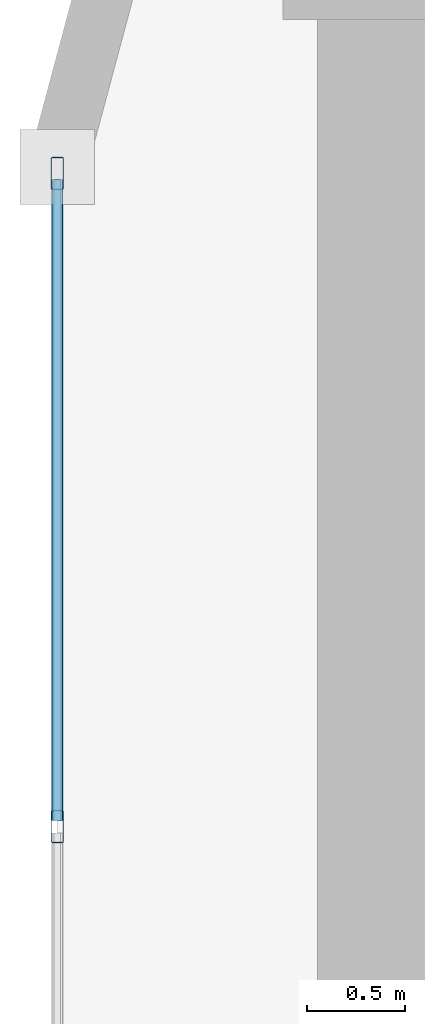
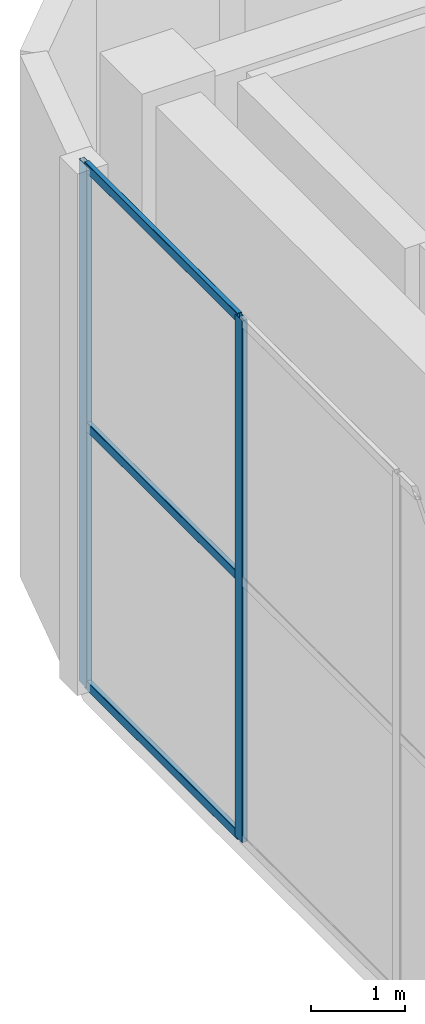
# One storey, part 11 of 24: 5 members, 1 element without a shape of its own.
"""IFC4 building model written with IfcOpenShell, lengths in metres."""

import ifcopenshell
import ifcopenshell.guid

model = None  # the IFC model being written
_history = None  # IfcOwnerHistory: only IFC2X3 demands one
_inside = {}  # id of a spatial element -> (the spatial element, [elements in it])
_under = {}  # id of a project, library or spatial element -> (it, [spatial elements below it])
_declared = {}  # id of a project -> (the project, [libraries it declares])
_typed = {}  # id of a type object -> (the type object, [elements of that type])
_made_of = {}  # id of a material, layer set ... -> (it, [elements and type objects made of it])


def new_model(schema):
    """Start an empty IFC model of exactly this schema.

    Asked for "IFC4X3", IfcOpenShell would pick the latest addendum, in which some entities
    have other attributes; the version numbers below select the first issue.
    IFC2X3 requires an IfcOwnerHistory on every rooted entity: one is made here for all.
    """
    global model, _history
    if schema == "IFC4X3":
        model = ifcopenshell.file(schema_version=(4, 3, 0, 0))
    else:
        model = ifcopenshell.file(schema=schema)
    _inside.clear()
    _under.clear()
    _declared.clear()
    _typed.clear()
    _made_of.clear()
    _history = None
    if model.schema == "IFC2X3":
        org = make("IfcOrganization", Name="unknown")
        user = make(
            "IfcPersonAndOrganization",
            ThePerson=make("IfcPerson", FamilyName="unknown"),
            TheOrganization=org,
        )
        app = make(
            "IfcApplication",
            ApplicationDeveloper=org,
            Version="unknown",
            ApplicationFullName="unknown",
            ApplicationIdentifier="unknown",
        )
        _history = make(
            "IfcOwnerHistory",
            OwningUser=user,
            OwningApplication=app,
            ChangeAction="ADDED",
            CreationDate=0,
        )
    return model


def make(cls, **values):
    """One entity of the class cls with the attributes given. An attribute that is None is left unset."""
    return model.create_entity(
        cls, **{name: value for name, value in values.items() if value is not None}
    )


def rooted(cls, **values):
    """An entity with a GlobalId (a new one), such as an element, a storey or a relation."""
    return make(cls, GlobalId=ifcopenshell.guid.new(), OwnerHistory=_history, **values)


def si_unit(unit_type, name, prefix=None):
    """IfcSIUnit, for example si_unit("LENGTHUNIT", "METRE", prefix="MILLI")."""
    return make("IfcSIUnit", UnitType=unit_type, Prefix=prefix, Name=name)


def assignment(units):
    """IfcUnitAssignment: the units of a project."""
    return None if units is None else make("IfcUnitAssignment", Units=units)


def point(xyz):
    """IfcCartesianPoint."""
    return None if xyz is None else make("IfcCartesianPoint", Coordinates=xyz)


def direction(xyz):
    """IfcDirection."""
    return None if xyz is None else make("IfcDirection", DirectionRatios=xyz)


def frame(location, z_axis=None, x_axis=None):
    """IfcAxis2Placement3D, a coordinate frame: its origin and axes. An axis left out is left unset."""
    return make(
        "IfcAxis2Placement3D",
        Location=point(location),
        Axis=direction(z_axis),
        RefDirection=direction(x_axis),
    )


def frame_2d(location, x_axis=None):
    """IfcAxis2Placement2D, a coordinate frame in the plane: its origin and x axis."""
    return make(
        "IfcAxis2Placement2D", Location=point(location), RefDirection=direction(x_axis)
    )


def origin():
    """The frame at (0, 0, 0) with its axes left unset."""
    return frame((0.0, 0.0, 0.0))


def origin_2d():
    """The frame at (0, 0) in the plane with its x axis left unset."""
    return frame_2d((0.0, 0.0))


def place(relative_to, where):
    """IfcLocalPlacement: puts the frame where relative to a parent placement (None: the world)."""
    return make(
        "IfcLocalPlacement", PlacementRelTo=relative_to, RelativePlacement=where
    )


def context(
    kind, dimensions, precision=None, world=None, true_north=None, identifier=None
):
    """IfcGeometricRepresentationContext, for example the 3D "Model" context."""
    return make(
        "IfcGeometricRepresentationContext",
        ContextIdentifier=identifier,
        ContextType=kind,
        CoordinateSpaceDimension=dimensions,
        Precision=precision,
        WorldCoordinateSystem=world,
        TrueNorth=true_north,
    )


def subcontext(parent, identifier, kind, view, scale=None):
    """IfcGeometricRepresentationSubContext, for example "Body" below "Model"."""
    return make(
        "IfcGeometricRepresentationSubContext",
        ContextIdentifier=identifier,
        ContextType=kind,
        ParentContext=parent,
        TargetScale=scale,
        TargetView=view,
    )


def project(units=None, contexts=None):
    """IfcProject with its units and contexts."""
    return rooted(
        "IfcProject",
        Name="project",
        RepresentationContexts=contexts,
        UnitsInContext=assignment(units),
    )


def spatial(cls, under=None, at=None, **own):
    """A site, building, storey or space (cls), placed at a placement, below another one or the project."""
    s = rooted(cls, ObjectPlacement=at, **own)
    if under is not None:
        _under.setdefault(under.id(), (under, []))[1].append(s)
    return s


def profile(cls, at=None, kind="AREA", **sizes):
    """A parametric profile (cls). Its sizes go by their IFC names, for example OverallWidth=200.0."""
    return make(cls, ProfileType=kind, Position=at, **sizes)


def hollow_rectangle(**sizes):
    """IfcRectangleHollowProfileDef."""
    return profile("IfcRectangleHollowProfileDef", **sizes)


def extrude(swept, where, along, depth):
    """IfcExtrudedAreaSolid: the profile swept, set in the frame where, extruded along a direction by depth."""
    return make(
        "IfcExtrudedAreaSolid",
        SweptArea=swept,
        Position=where,
        ExtrudedDirection=direction(along),
        Depth=depth,
    )


def shape(context_of_items, identifier, shape_type, items):
    """IfcShapeRepresentation: the items that make up one representation, for example the "Body"."""
    return make(
        "IfcShapeRepresentation",
        ContextOfItems=context_of_items,
        RepresentationIdentifier=identifier,
        RepresentationType=shape_type,
        Items=items,
    )


def material(Name=None, Category=None):
    """IfcMaterial."""
    return make("IfcMaterial", Name=Name, Category=Category)


def layer(
    of_material, thickness, ventilated=None, Name=None, Category=None, Priority=None
):
    """IfcMaterialLayer: one layer of a wall or slab, of a material (None: an air gap)."""
    return make(
        "IfcMaterialLayer",
        Material=of_material,
        LayerThickness=thickness,
        IsVentilated=ventilated,
        Name=Name,
        Category=Category,
        Priority=Priority,
    )


def layer_set(layers, Name=None):
    """IfcMaterialLayerSet."""
    return make("IfcMaterialLayerSet", MaterialLayers=layers, LayerSetName=Name)


def material_profile(
    of_material, cross_section, Name=None, Category=None, Priority=None
):
    """IfcMaterialProfile: a cross section and its material."""
    return make(
        "IfcMaterialProfile",
        Name=Name,
        Material=of_material,
        Profile=cross_section,
        Priority=Priority,
        Category=Category,
    )


def profile_set(profiles, Name=None, composite=None):
    """IfcMaterialProfileSet."""
    return make(
        "IfcMaterialProfileSet",
        Name=Name,
        MaterialProfiles=profiles,
        CompositeProfile=composite,
    )


def made_of(thing, what):
    """Note that an element or type object is made of a material, layer set ...; save() writes the relation."""
    if what is not None:
        _made_of.setdefault(what.id(), (what, []))[1].append(thing)
    return thing


def type_object(cls, material=None, **own):
    """A type object (cls), such as IfcWallType, which elements share."""
    return made_of(rooted(cls, **own), material)


def element(
    cls,
    number,
    at=None,
    inside=None,
    cuts=None,
    type_object=None,
    material=None,
    context=None,
    identifier="Body",
    shape_type=None,
    held_by="IfcProductDefinitionShape",
    body=None,
    shapes=None,
    **own,
):
    """One element of the class cls, such as IfcWall. Its Tag is "e" and its number.

    at: its placement. inside: the storey or other place that contains it. cuts: it is an
    opening in that element (IfcRelVoidsElement). A single representation is given by context,
    identifier, shape_type and body (its items); several are given by shapes. held_by: the class
    of the entity that holds the representations. save() writes the other relations.
    """
    e = rooted(cls, Tag="e%d" % number, ObjectPlacement=at, **own)
    if body is not None:
        shapes = [shape(context, identifier, shape_type, body)]
    if shapes is not None:
        e.Representation = make(held_by, Representations=shapes)
    if inside is not None:
        _inside.setdefault(inside.id(), (inside, []))[1].append(e)
    if cuts is not None:
        rooted(
            "IfcRelVoidsElement", RelatingBuildingElement=cuts, RelatedOpeningElement=e
        )
    if type_object is not None:
        _typed.setdefault(type_object.id(), (type_object, []))[1].append(e)
    return made_of(e, material)


def aggregate(whole, parts):
    """IfcRelAggregates: a whole, such as a stair, and the parts it consists of."""
    return rooted("IfcRelAggregates", RelatingObject=whole, RelatedObjects=parts)


def save(model, path):
    """Write the relations noted so far, then the file.

    IfcRelAggregates (storeys below a building ...), IfcRelContainedInSpatialStructure (elements
    in a storey), IfcRelDefinesByType, IfcRelAssociatesMaterial and IfcRelDeclares: one each for
    every whole, place, type object, material and project.
    """
    for whole, parts in _under.values():
        aggregate(whole, parts)
    for where, things in _inside.values():
        rooted(
            "IfcRelContainedInSpatialStructure",
            RelatedElements=things,
            RelatingStructure=where,
        )
    for kind, things in _typed.values():
        rooted("IfcRelDefinesByType", RelatedObjects=things, RelatingType=kind)
    for what, things in _made_of.values():
        rooted("IfcRelAssociatesMaterial", RelatedObjects=things, RelatingMaterial=what)
    for by, libraries in _declared.values():
        rooted("IfcRelDeclares", RelatingContext=by, RelatedDefinitions=libraries)
    model.write(path)


model = new_model("IFC4")

# Units and contexts
model_context = context("Model", 3, precision=1e-05, world=origin(), true_north=direction((0.0, 1.0)))
body_context = subcontext(model_context, "Body", "Model", "MODEL_VIEW")
ifc_project = project(units=[si_unit("LENGTHUNIT", "METRE"), si_unit("AREAUNIT", "SQUARE_METRE"), si_unit("VOLUMEUNIT", "CUBIC_METRE"), si_unit("PLANEANGLEUNIT", "RADIAN"), si_unit("MASSUNIT", "GRAM", prefix="KILO")], contexts=[model_context])

# Site, building, storey
site_placement = place(None, origin())
site = spatial("IfcSite", under=ifc_project, at=site_placement, CompositionType="ELEMENT")
building_placement = place(site_placement, origin())
building = spatial("IfcBuilding", under=site, at=building_placement, Name="An Khanh Terracotta Commons", CompositionType="ELEMENT")
storey_placement = place(building_placement, frame((0.0, 0.0, 315.199951171875)))
storey = spatial("IfcBuildingStorey", under=building, at=storey_placement, Name="L80 Crown Cooling Plant", CompositionType="ELEMENT", Elevation=315.199951171875)

# Curtain wall, members
ifc_material = material(Name="Anodised Aluminium 6063-T6", Category="aluminium")
ifc_layer = layer(ifc_material, 0.18994140625, Name="Anodised Aluminium 6063-T6")
ifc_layer_set = layer_set([ifc_layer], Name="Anodised Aluminium 6063-T6")
curtain_wall_type = type_object("IfcCurtainWallType", Name="CW-SYS-06", PredefinedType="USERDEFINED", material=ifc_layer_set)
curtain_wall_placement = place(storey_placement, origin())
curtain_wall = element("IfcCurtainWall", 1, at=curtain_wall_placement, inside=storey, type_object=curtain_wall_type, Name="L80 Crown Cooling Plant CW-06 Unitised Curtain Wall CW-L80-24", ObjectType="UNITISED CURTAIN WALL", PredefinedType="USERDEFINED")
ifc_material_profile_1 = material_profile(ifc_material, hollow_rectangle(XDim=0.06494140625, YDim=0.1650390625, WallThickness=0.00390625, InnerFilletRadius=0.00390625, OuterFilletRadius=0.008056640625, at=origin_2d()), Name="RHS165x65x4")
ifc_profile_set_1 = profile_set([ifc_material_profile_1], Name="Anodised Aluminium 6063-T6")
member_type_1 = type_object("IfcMemberType", Name="CWM-RHS165x65x4", PredefinedType="MULLION", material=ifc_profile_set_1)
member_1_placement = place(storey_placement, frame((20.0, 32.367431640625, 0.0), z_axis=(0.0, 0.0, 1.0), x_axis=(1.0, 0.0, 0.0)))
member_1 = element("IfcMember", 2, at=member_1_placement, type_object=member_type_1, Name="CW-06 mullion 1", PredefinedType="MULLION", context=body_context, shape_type="SweptSolid", body=[
    extrude(hollow_rectangle(XDim=0.06494140625, YDim=0.1650390625, WallThickness=0.00390625, InnerFilletRadius=0.00390625, OuterFilletRadius=0.008056640625, at=origin_2d()), origin(), (0.0, 0.0, 1.0), 6.800048828125),
])
member_2_placement = place(storey_placement, frame((20.0, 29.0400390625, 0.0), z_axis=(0.0, 0.0, 1.0), x_axis=(1.0, 0.0, 0.0)))
member_2 = element("IfcMember", 3, at=member_2_placement, type_object=member_type_1, Name="CW-06 mullion 2", PredefinedType="MULLION", context=body_context, shape_type="SweptSolid", body=[
    extrude(hollow_rectangle(XDim=0.06494140625, YDim=0.1650390625, WallThickness=0.00390625, InnerFilletRadius=0.00390625, OuterFilletRadius=0.008056640625, at=origin_2d()), origin(), (0.0, 0.0, 1.0), 6.800048828125),
])
ifc_material_profile_2 = material_profile(ifc_material, hollow_rectangle(XDim=0.06005859375, YDim=0.1201171875, WallThickness=0.003662109375, InnerFilletRadius=0.003662109375, OuterFilletRadius=0.007080078125, at=origin_2d()), Name="RHS120x60x3.6")
ifc_profile_set_2 = profile_set([ifc_material_profile_2], Name="Anodised Aluminium 6063-T6")
member_type_2 = type_object("IfcMemberType", Name="CWT-RHS120x60x3.6", PredefinedType="USERDEFINED", material=ifc_profile_set_2)
member_3_placement = place(storey_placement, frame((20.0, 32.3349609375, 0.030029296875), z_axis=(0.0, -1.0, 0.0), x_axis=(1.0, 0.0, 0.0)))
member_3 = element("IfcMember", 4, at=member_3_placement, type_object=member_type_2, Name="CW-06 transom 1.1", ObjectType="TRANSOM", PredefinedType="USERDEFINED", context=body_context, shape_type="SweptSolid", body=[
    extrude(hollow_rectangle(XDim=0.06005859375, YDim=0.1201171875, WallThickness=0.003662109375, InnerFilletRadius=0.003662109375, OuterFilletRadius=0.007080078125, at=origin_2d()), origin(), (0.0, 0.0, 1.0), 3.262451171875),
])
member_4_placement = place(storey_placement, frame((20.0, 32.3349609375, 3.400146484375), z_axis=(0.0, -1.0, 0.0), x_axis=(1.0, 0.0, 0.0)))
member_4 = element("IfcMember", 5, at=member_4_placement, type_object=member_type_2, Name="CW-06 transom 1.2", ObjectType="TRANSOM", PredefinedType="USERDEFINED", context=body_context, shape_type="SweptSolid", body=[
    extrude(hollow_rectangle(XDim=0.06005859375, YDim=0.1201171875, WallThickness=0.003662109375, InnerFilletRadius=0.003662109375, OuterFilletRadius=0.007080078125, at=origin_2d()), origin(), (0.0, 0.0, 1.0), 3.262451171875),
])
member_5_placement = place(storey_placement, frame((20.0, 32.3349609375, 6.77001953125), z_axis=(0.0, -1.0, 0.0), x_axis=(1.0, 0.0, 0.0)))
member_5 = element("IfcMember", 6, at=member_5_placement, type_object=member_type_2, Name="CW-06 transom 1.3", ObjectType="TRANSOM", PredefinedType="USERDEFINED", context=body_context, shape_type="SweptSolid", body=[
    extrude(hollow_rectangle(XDim=0.06005859375, YDim=0.1201171875, WallThickness=0.003662109375, InnerFilletRadius=0.003662109375, OuterFilletRadius=0.007080078125, at=origin_2d()), origin(), (0.0, 0.0, 1.0), 3.262451171875),
])
aggregate(curtain_wall, [member_1, member_2, member_3, member_4, member_5])

save(model, "model.ifc")
